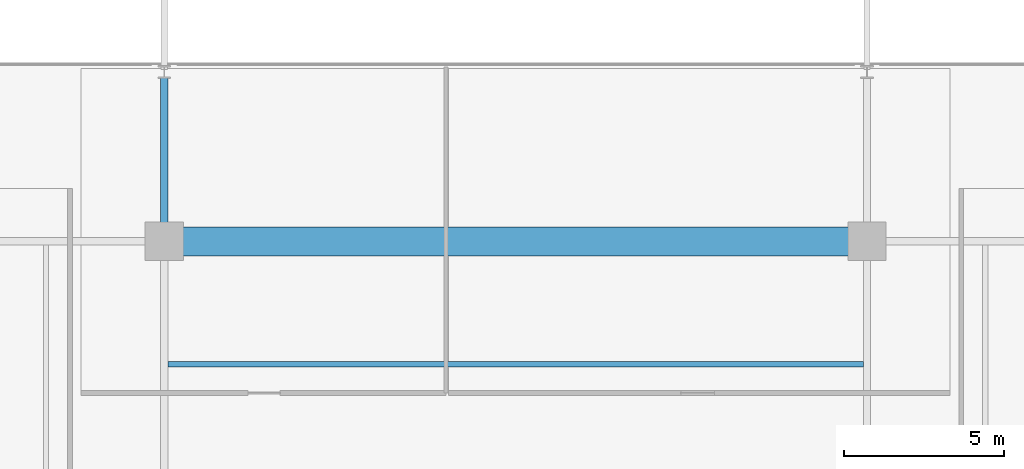
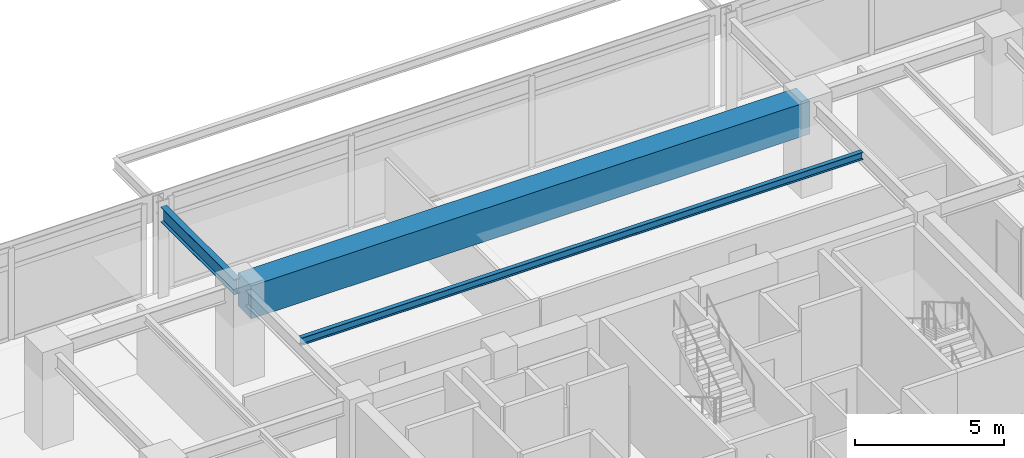
# One storey, part 8 of 20: 3 beams.
"""IFC4 building model written with IfcOpenShell, lengths in metres."""

from ifc_helpers import new_model, si_unit, direction, frame, origin, origin_2d, place, context, subcontext, project, spatial, rectangle, i_section, extrude, material, material_profile, profile_set, type_object, element, save


model = new_model("IFC4")

# Units and contexts
model_context = context("Model", 3, precision=1e-05, world=origin(), true_north=direction((0.0, 1.0)))
body_context = subcontext(model_context, "Body", "Model", "MODEL_VIEW")
ifc_project = project(units=[si_unit("LENGTHUNIT", "METRE"), si_unit("AREAUNIT", "SQUARE_METRE"), si_unit("VOLUMEUNIT", "CUBIC_METRE"), si_unit("PLANEANGLEUNIT", "RADIAN"), si_unit("MASSUNIT", "GRAM", prefix="KILO")], contexts=[model_context])

# Site, building, storey
site_placement = place(None, origin())
site = spatial("IfcSite", under=ifc_project, at=site_placement, CompositionType="ELEMENT")
building_placement = place(site_placement, origin())
building = spatial("IfcBuilding", under=site, at=building_placement, Name="Kovane Verandah Tower", CompositionType="ELEMENT")
storey_placement = place(building_placement, frame((0.0, 0.0, 279.199951171875)))
storey = spatial("IfcBuildingStorey", under=building, at=storey_placement, Name="L65", CompositionType="ELEMENT", Elevation=279.199951171875)

# Beams
ifc_material_1 = material(Name="Concrete C80/95", Category="concrete")
ifc_material_profile_1 = material_profile(ifc_material_1, rectangle(XDim=0.89990234375, YDim=1.35009765625, at=origin_2d()), Name="RCB900x1350")
ifc_profile_set_1 = profile_set([ifc_material_profile_1], Name="Concrete C80/95")
beam_type_1 = type_object("IfcBeamType", Name="BM-TR-900x1350", PredefinedType="BEAM", material=ifc_profile_set_1)
beam_1_placement = place(storey_placement, frame((29.179931640625, 44.199951171875, 3.110107421875), z_axis=(1.0, 0.0, 0.0), x_axis=(0.0, 1.0, 0.0)))
element("IfcBeam", 1, at=beam_1_placement, inside=storey, type_object=beam_type_1, Name="L65 Primary Tower Girder G-RN2", PredefinedType="BEAM", context=body_context, shape_type="SweptSolid", body=[
    extrude(rectangle(XDim=0.89990234375, YDim=1.35009765625, at=origin_2d()), origin(), (0.0, 0.0, 1.0), 21.64013671875),
])
ifc_material_2 = material(Name="Steel S355", Category="steel")
ifc_material_profile_2 = material_profile(ifc_material_2, i_section(OverallWidth=0.230224609375, OverallDepth=0.6171875, WebThickness=0.01318359375, FlangeThickness=0.022216796875, FilletRadius=0.0126953125, at=origin_2d()), Name="UB610x229x140")
ifc_profile_set_2 = profile_set([ifc_material_profile_2], Name="Steel S355")
beam_type_2 = type_object("IfcBeamType", Name="BM-UB610x140", PredefinedType="BEAM", material=ifc_profile_set_2)
beam_2_placement = place(storey_placement, frame((29.0, 44.3798828125, 3.451416015625), z_axis=(0.0, 1.0, 0.0), x_axis=(-1.0, 0.0, 0.0)))
element("IfcBeam", 2, at=beam_2_placement, inside=storey, type_object=beam_type_2, Name="L65 Primary Tower Girder G-VN1", PredefinedType="BEAM", context=body_context, shape_type="SweptSolid", body=[
    extrude(i_section(OverallWidth=0.230224609375, OverallDepth=0.6171875, WebThickness=0.01318359375, FlangeThickness=0.022216796875, FilletRadius=0.0126953125, at=origin_2d()), origin(), (0.0, 0.0, 1.0), 4.940185546875),
])
ifc_material_profile_3 = material_profile(ifc_material_2, i_section(OverallWidth=0.1669921875, OverallDepth=0.310302734375, WebThickness=0.0078125, FlangeThickness=0.013671875, FilletRadius=0.0087890625, at=origin_2d()), Name="UB305x165x54")
ifc_profile_set_3 = profile_set([ifc_material_profile_3], Name="Steel S355")
beam_type_3 = type_object("IfcBeamType", Name="JST-UB305x54", PredefinedType="JOIST", material=ifc_profile_set_3)
beam_3_placement = place(storey_placement, frame((29.113037109375, 40.35009765625, 3.6298828125), z_axis=(1.0, 0.0, 0.0), x_axis=(0.0, 1.0, 0.0)))
element("IfcBeam", 3, at=beam_3_placement, inside=storey, type_object=beam_type_3, Name="L65 Secondary Composite Joist J-N1", PredefinedType="JOIST", context=body_context, shape_type="SweptSolid", body=[
    extrude(i_section(OverallWidth=0.1669921875, OverallDepth=0.310302734375, WebThickness=0.0078125, FlangeThickness=0.013671875, FilletRadius=0.0087890625, at=origin_2d()), origin(), (0.0, 0.0, 1.0), 21.77392578125),
])

save(model, "model.ifc")
